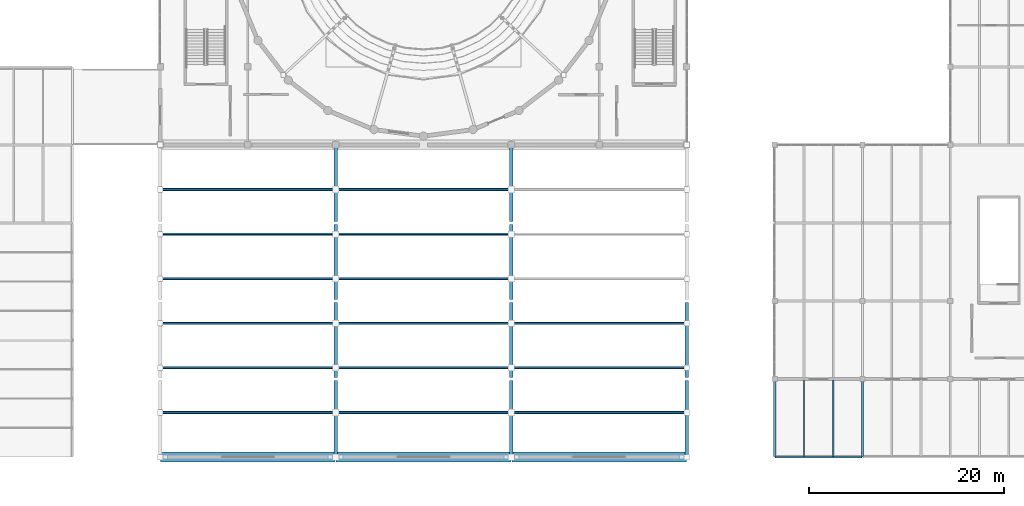
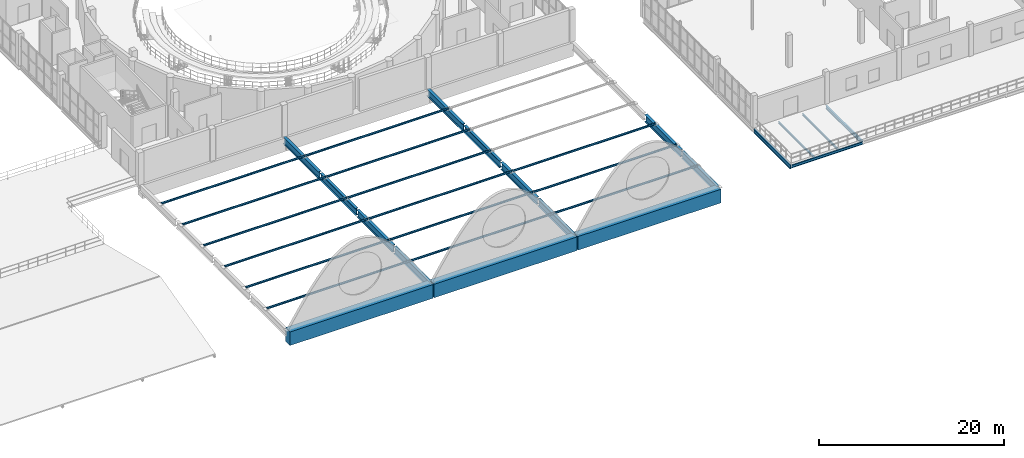
# One storey, part 12 of 54: 18 beams, 15 members.
"""IFC4 building model written with IfcOpenShell, lengths in metres."""

from ifc_helpers import new_model, si_unit, direction, frame, origin, origin_2d, place, context, subcontext, project, spatial, rectangle, hollow_circle, i_section, extrude, material, material_profile, profile_set, type_object, element, save


model = new_model("IFC4")

# Units and contexts
model_context = context("Model", 3, precision=1e-05, world=origin(), true_north=direction((0.0, 1.0)))
body_context = subcontext(model_context, "Body", "Model", "MODEL_VIEW")
ifc_project = project(units=[si_unit("LENGTHUNIT", "METRE"), si_unit("AREAUNIT", "SQUARE_METRE"), si_unit("VOLUMEUNIT", "CUBIC_METRE"), si_unit("PLANEANGLEUNIT", "RADIAN"), si_unit("MASSUNIT", "GRAM", prefix="KILO")], contexts=[model_context])

# Site, building, storey
site_placement = place(None, origin())
site = spatial("IfcSite", under=ifc_project, at=site_placement, CompositionType="ELEMENT")
building_placement = place(site_placement, origin())
building = spatial("IfcBuilding", under=site, at=building_placement, Name="Marnock Terrace Opera House", CompositionType="ELEMENT")
storey_placement = place(building_placement, frame((0.0, 0.0, 19.199951171875)))
storey = spatial("IfcBuildingStorey", under=building, at=storey_placement, Name="L04", CompositionType="ELEMENT", Elevation=19.199951171875)

# Beams
ifc_material_1 = material(Name="Steel Grade 350 (AS/NZS 3679.1)", Category="steel")
ifc_material_profile_1 = material_profile(ifc_material_1, i_section(OverallWidth=0.18994140625, OverallDepth=0.45751953125, WebThickness=0.009033203125, FlangeThickness=0.014404296875, FilletRadius=0.011474609375, at=origin_2d()))
ifc_profile_set_1 = profile_set([ifc_material_profile_1], Name="Steel Grade 350 (AS/NZS 3679.1)")
beam_type_1 = type_object("IfcBeamType", Name="BM-GIRD-460B", PredefinedType="BEAM", material=ifc_profile_set_1)
beam_1_placement = place(storey_placement, frame((127.0, 8.050048828125, -0.49853515625), z_axis=(0.0, 1.0, 0.0), x_axis=(-1.0, 0.0, 0.0)))
element("IfcBeam", 1, at=beam_1_placement, inside=storey, type_object=beam_type_1, Name="L04 girder (X=127.0, 8.0..16.0)", PredefinedType="BEAM", context=body_context, shape_type="SweptSolid", body=[
    extrude(i_section(OverallWidth=0.18994140625, OverallDepth=0.45751953125, WebThickness=0.009033203125, FlangeThickness=0.014404296875, FilletRadius=0.011474609375, at=origin_2d()), origin(), (0.0, 0.0, 1.0), 7.89990234375),
])
ifc_material_profile_2 = material_profile(ifc_material_1, i_section(OverallWidth=0.208984375, OverallDepth=0.528076171875, WebThickness=0.009521484375, FlangeThickness=0.01318359375, FilletRadius=0.013916015625, at=origin_2d()))
ifc_profile_set_2 = profile_set([ifc_material_profile_2], Name="Steel Grade 350 (AS/NZS 3679.1)")
beam_type_2 = type_object("IfcBeamType", Name="BM-GIRD-530B", PredefinedType="BEAM", material=ifc_profile_set_2)
beam_2_placement = place(storey_placement, frame((118.0, 8.050048828125, -0.533935546875), z_axis=(0.0, 1.0, 0.0), x_axis=(-1.0, 0.0, 0.0)))
element("IfcBeam", 2, at=beam_2_placement, inside=storey, type_object=beam_type_2, Name="L04 girder (X=118.0, 8.0..16.0)", PredefinedType="BEAM", context=body_context, shape_type="SweptSolid", body=[
    extrude(i_section(OverallWidth=0.208984375, OverallDepth=0.528076171875, WebThickness=0.009521484375, FlangeThickness=0.01318359375, FilletRadius=0.013916015625, at=origin_2d()), origin(), (0.0, 0.0, 1.0), 7.89990234375),
])
ifc_material_profile_3 = material_profile(ifc_material_1, i_section(OverallWidth=0.14599609375, OverallDepth=0.256103515625, WebThickness=0.00634765625, FlangeThickness=0.010986328125, FilletRadius=0.0087890625, at=origin_2d()))
ifc_profile_set_3 = profile_set([ifc_material_profile_3], Name="Steel Grade 350 (AS/NZS 3679.1)")
beam_type_3 = type_object("IfcBeamType", Name="BM-JOIST-250", PredefinedType="JOIST", material=ifc_profile_set_3)
for number, where, z_axis, x_axis, name in (
    (3, (121.0, 8.0810546875, -0.39794921875), (0.0, 1.0, 0.0), (-1.0, 0.0, 0.0), "L04 secondary joist 13.1.1"),
    (4, (124.0, 8.0810546875, -0.39794921875), (0.0, 1.0, 0.0), (-1.0, 0.0, 0.0), "L04 secondary joist 13.1.2"),
):
    element("IfcBeam", number, at=place(storey_placement, frame(where, z_axis=z_axis, x_axis=x_axis)), inside=storey, type_object=beam_type_3, Name=name, PredefinedType="JOIST", context=body_context, shape_type="SweptSolid", body=[
        extrude(i_section(OverallWidth=0.14599609375, OverallDepth=0.256103515625, WebThickness=0.00634765625, FlangeThickness=0.010986328125, FilletRadius=0.0087890625, at=origin_2d()), origin(), (0.0, 0.0, 1.0), 7.809326171875),
    ])
ifc_material_profile_4 = material_profile(ifc_material_1, i_section(OverallWidth=0.172119140625, OverallDepth=0.358642578125, WebThickness=0.008056640625, FlangeThickness=0.012939453125, FilletRadius=0.011474609375, at=origin_2d()))
ifc_profile_set_4 = profile_set([ifc_material_profile_4], Name="Steel Grade 350 (AS/NZS 3679.1)")
beam_type_4 = type_object("IfcBeamType", Name="BM-SPAN-360", PredefinedType="SPANDREL", material=ifc_profile_set_4)
beam_3_placement = place(storey_placement, frame((118.050048828125, 8.0, -0.44921875), z_axis=(1.0, 0.0, 0.0), x_axis=(0.0, 1.0, 0.0)))
element("IfcBeam", 5, at=beam_3_placement, inside=storey, type_object=beam_type_4, Name="L04 girder (118.0..127.0, Y=8.0)", PredefinedType="SPANDREL", context=body_context, shape_type="SweptSolid", body=[
    extrude(i_section(OverallWidth=0.172119140625, OverallDepth=0.358642578125, WebThickness=0.008056640625, FlangeThickness=0.012939453125, FilletRadius=0.011474609375, at=origin_2d()), origin(), (0.0, 0.0, 1.0), 8.89990234375),
])
ifc_material_2 = material(Name="Steel Grade 350 Welded (AS/NZS 3679.2)", Category="steel")
ifc_material_profile_5 = material_profile(ifc_material_2, i_section(OverallWidth=0.35009765625, OverallDepth=0.924072265625, WebThickness=0.01611328125, FlangeThickness=0.031982421875, at=origin_2d()))
ifc_profile_set_5 = profile_set([ifc_material_profile_5], Name="Steel Grade 350 Welded (AS/NZS 3679.2)")
beam_type_5 = type_object("IfcBeamType", Name="BM-VALLEY-900", PredefinedType="BEAM", material=ifc_profile_set_5)
for number, where, z_axis, x_axis, name in (
    (6, (73.0, 8.139892578125, -0.4619140625), (0.0, 1.0, 0.0), (-1.0, 0.0, 0.0), "Grand Hall barrel-vault valley girder X=73"),
    (7, (73.0, 16.139892578125, -0.4619140625), (0.0, 1.0, 0.0), (-1.0, 0.0, 0.0), "Grand Hall barrel-vault valley girder X=73"),
    (8, (73.0, 24.139892578125, -0.4619140625), (0.0, 1.0, 0.0), (-1.0, 0.0, 0.0), "Grand Hall barrel-vault valley girder X=73"),
    (9, (73.0, 32.139892578125, -0.4619140625), (0.0, 1.0, 0.0), (-1.0, 0.0, 0.0), "Grand Hall barrel-vault valley girder X=73"),
    (10, (91.0, 8.139892578125, -0.4619140625), (0.0, 1.0, 0.0), (-1.0, 0.0, 0.0), "Grand Hall barrel-vault valley girder X=91"),
    (11, (91.0, 16.139892578125, -0.4619140625), (0.0, 1.0, 0.0), (-1.0, 0.0, 0.0), "Grand Hall barrel-vault valley girder X=91"),
    (12, (91.0, 24.139892578125, -0.4619140625), (0.0, 1.0, 0.0), (-1.0, 0.0, 0.0), "Grand Hall barrel-vault valley girder X=91"),
    (13, (91.0, 32.139892578125, -0.4619140625), (0.0, 1.0, 0.0), (-1.0, 0.0, 0.0), "Grand Hall barrel-vault valley girder X=91"),
    (14, (109.0, 8.139892578125, -0.4619140625), (0.0, 1.0, 0.0), (-1.0, 0.0, 0.0), "Grand Hall barrel-vault valley girder X=109"),
    (15, (109.0, 16.139892578125, -0.4619140625), (0.0, 1.0, 0.0), (-1.0, 0.0, 0.0), "Grand Hall barrel-vault valley girder X=109"),
):
    element("IfcBeam", number, at=place(storey_placement, frame(where, z_axis=z_axis, x_axis=x_axis)), inside=storey, type_object=beam_type_5, Name=name, PredefinedType="BEAM", context=body_context, shape_type="SweptSolid", body=[
        extrude(i_section(OverallWidth=0.35009765625, OverallDepth=0.924072265625, WebThickness=0.01611328125, FlangeThickness=0.031982421875, at=origin_2d()), origin(), (0.0, 0.0, 1.0), 7.72021484375),
    ])
ifc_material_3 = material(Name="Concrete N50 (f'c = 50 MPa)", Category="concrete")
ifc_material_profile_6 = material_profile(ifc_material_3, rectangle(XDim=1.0, YDim=1.800048828125, at=origin_2d()))
ifc_profile_set_6 = profile_set([ifc_material_profile_6], Name="Concrete N50 (f'c = 50 MPa)")
beam_type_6 = type_object("IfcBeamType", Name="BM-XFER-RC1000", PredefinedType="BEAM", material=ifc_profile_set_6)
for number, where, z_axis, x_axis, name in (
    (16, (55.050048828125, 8.0, -0.89990234375), (1.0, 0.0, 0.0), (0.0, 1.0, 0.0), "Barrel vault 1 south end transfer beam"),
    (17, (73.050048828125, 8.0, -0.89990234375), (1.0, 0.0, 0.0), (0.0, 1.0, 0.0), "Barrel vault 2 south end transfer beam"),
    (18, (91.050048828125, 8.0, -0.89990234375), (1.0, 0.0, 0.0), (0.0, 1.0, 0.0), "Barrel vault 3 south end transfer beam"),
):
    element("IfcBeam", number, at=place(storey_placement, frame(where, z_axis=z_axis, x_axis=x_axis)), inside=storey, type_object=beam_type_6, Name=name, PredefinedType="BEAM", context=body_context, shape_type="SweptSolid", body=[
        extrude(rectangle(XDim=1.0, YDim=1.800048828125, at=origin_2d()), origin(), (0.0, 0.0, 1.0), 17.89990234375),
    ])

# Members
ifc_material_4 = material(Name="Cold-formed Steel Grade C350L0 (AS/NZS 1163)", Category="steel")
ifc_material_profile_7 = material_profile(ifc_material_4, hollow_circle(Radius=0.136474609375, WallThickness=0.00927734375, at=origin_2d()))
ifc_profile_set_7 = profile_set([ifc_material_profile_7], Name="Cold-formed Steel Grade C350L0 (AS/NZS 1163)")
member_type = type_object("IfcMemberType", Name="MEM-VAULT-TIE", PredefinedType="COLLAR", material=ifc_profile_set_7)
for number, where, z_axis, x_axis, name in (
    (19, (55.050048828125, 12.571533203125, 0.06005859375), (1.0, 0.0, 0.0), (0.0, 1.0, 0.0), "Barrel vault 1 station 2 springing tension tie"),
    (20, (55.050048828125, 17.142822265625, 0.06005859375), (1.0, 0.0, 0.0), (0.0, 1.0, 0.0), "Barrel vault 1 station 3 springing tension tie"),
    (21, (55.050048828125, 21.71435546875, 0.06005859375), (1.0, 0.0, 0.0), (0.0, 1.0, 0.0), "Barrel vault 1 station 4 springing tension tie"),
    (22, (55.050048828125, 26.28564453125, 0.06005859375), (1.0, 0.0, 0.0), (0.0, 1.0, 0.0), "Barrel vault 1 station 5 springing tension tie"),
    (23, (55.050048828125, 30.857177734375, 0.06005859375), (1.0, 0.0, 0.0), (0.0, 1.0, 0.0), "Barrel vault 1 station 6 springing tension tie"),
    (24, (55.050048828125, 35.428466796875, 0.06005859375), (1.0, 0.0, 0.0), (0.0, 1.0, 0.0), "Barrel vault 1 station 7 springing tension tie"),
    (25, (73.050048828125, 12.571533203125, 0.06005859375), (1.0, 0.0, 0.0), (0.0, 1.0, 0.0), "Barrel vault 2 station 2 springing tension tie"),
    (26, (73.050048828125, 17.142822265625, 0.06005859375), (1.0, 0.0, 0.0), (0.0, 1.0, 0.0), "Barrel vault 2 station 3 springing tension tie"),
    (27, (73.050048828125, 21.71435546875, 0.06005859375), (1.0, 0.0, 0.0), (0.0, 1.0, 0.0), "Barrel vault 2 station 4 springing tension tie"),
    (28, (73.050048828125, 26.28564453125, 0.06005859375), (1.0, 0.0, 0.0), (0.0, 1.0, 0.0), "Barrel vault 2 station 5 springing tension tie"),
    (29, (73.050048828125, 30.857177734375, 0.06005859375), (1.0, 0.0, 0.0), (0.0, 1.0, 0.0), "Barrel vault 2 station 6 springing tension tie"),
    (30, (73.050048828125, 35.428466796875, 0.06005859375), (1.0, 0.0, 0.0), (0.0, 1.0, 0.0), "Barrel vault 2 station 7 springing tension tie"),
    (31, (91.050048828125, 12.571533203125, 0.06005859375), (1.0, 0.0, 0.0), (0.0, 1.0, 0.0), "Barrel vault 3 station 2 springing tension tie"),
    (32, (91.050048828125, 17.142822265625, 0.06005859375), (1.0, 0.0, 0.0), (0.0, 1.0, 0.0), "Barrel vault 3 station 3 springing tension tie"),
    (33, (91.050048828125, 21.71435546875, 0.06005859375), (1.0, 0.0, 0.0), (0.0, 1.0, 0.0), "Barrel vault 3 station 4 springing tension tie"),
):
    element("IfcMember", number, at=place(storey_placement, frame(where, z_axis=z_axis, x_axis=x_axis)), inside=storey, type_object=member_type, Name=name, PredefinedType="COLLAR", context=body_context, shape_type="SweptSolid", body=[
        extrude(hollow_circle(Radius=0.136474609375, WallThickness=0.00927734375, at=origin_2d()), origin(), (0.0, 0.0, 1.0), 17.89990234375),
    ])

save(model, "model.ifc")
